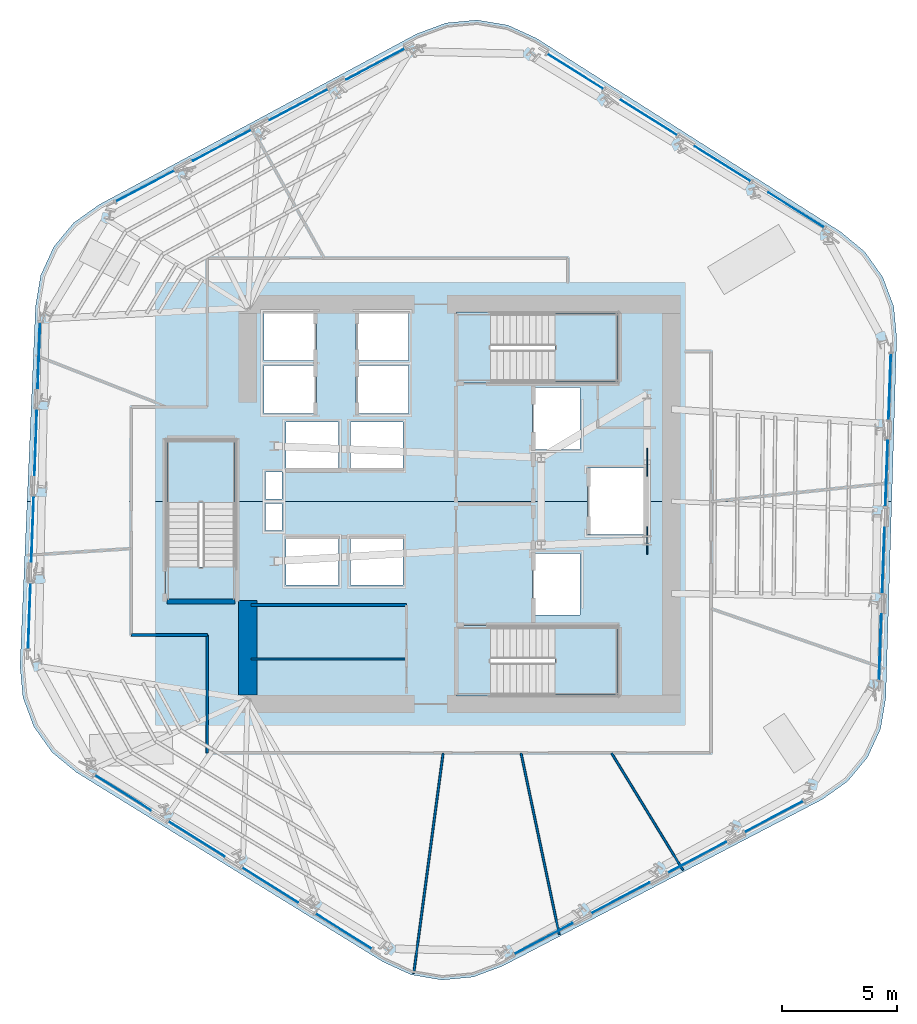
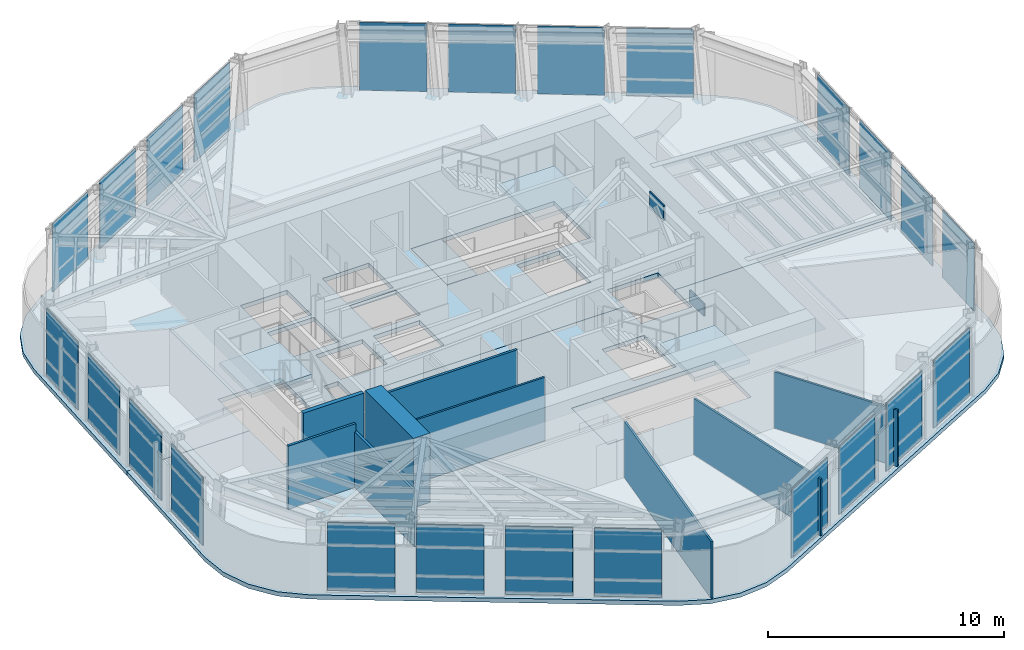
# One storey, part 6 of 14: 26 plates, 9 walls, 8 slabs, 9 elements without a shape of their own.
"""IFC4 building model written with IfcOpenShell, lengths in metres."""

from ifc_helpers import new_model, si_unit, direction, frame, frame_2d, origin, origin_2d, place, context, subcontext, project, spatial, polyline, rectangle, outline, extrude, material, layer, layer_set, type_object, element, aggregate, save


model = new_model("IFC4")

# Units and contexts
model_context = context("Model", 3, precision=1e-05, world=origin(), true_north=direction((0.0, 1.0)))
body_context = subcontext(model_context, "Body", "Model", "MODEL_VIEW")
ifc_project = project(units=[si_unit("LENGTHUNIT", "METRE"), si_unit("AREAUNIT", "SQUARE_METRE"), si_unit("VOLUMEUNIT", "CUBIC_METRE"), si_unit("PLANEANGLEUNIT", "RADIAN"), si_unit("MASSUNIT", "GRAM", prefix="KILO")], contexts=[model_context])

# Site, building, storey
site_placement = place(None, origin())
site = spatial("IfcSite", under=ifc_project, at=site_placement, CompositionType="ELEMENT")
building_placement = place(site_placement, origin())
building = spatial("IfcBuilding", under=site, at=building_placement, Name="Valkerne Bourse Tower", CompositionType="ELEMENT")
storey_placement = place(building_placement, frame((0.0, 0.0, 143.800048828125)))
storey = spatial("IfcBuildingStorey", under=building, at=storey_placement, Name="L36", CompositionType="ELEMENT", Elevation=143.800048828125)

# Curtain wall, plates
ifc_material_1 = material(Name="Aluminium AA 6063-T6", Category="aluminium")
ifc_layer_1 = layer(ifc_material_1, 0.235107421875)
ifc_layer_set_1 = layer_set([ifc_layer_1], Name="Aluminium AA 6063-T6")
curtain_wall_type = type_object("IfcCurtainWallType", Name="CW-03", PredefinedType="NOTDEFINED", material=ifc_layer_set_1)
curtain_wall_1_placement = place(storey_placement, origin())
curtain_wall_1 = element("IfcCurtainWall", 1, at=curtain_wall_1_placement, inside=storey, type_object=curtain_wall_type, Name="L36 Hexagonal Stick Curtain Wall Face 1", PredefinedType="NOTDEFINED")
ifc_material_2 = material(Name="Glass IGU Low-E Double Glazed", Category="glass")
ifc_layer_2 = layer(ifc_material_2, 0.031982421875)
ifc_layer_set_2 = layer_set([ifc_layer_2], Name="Glass IGU Low-E Double Glazed")
plate_type_1 = type_object("IfcPlateType", Name="CW-PNL-IGU-32", PredefinedType="CURTAIN_PANEL", material=ifc_layer_set_2)
plate_1_placement = place(storey_placement, frame((61.413818359375, 39.651611328125, 0.030029296875), z_axis=(0.0, 0.0, 1.0), x_axis=(-0.847122646261, 0.531397423961, 0.0)))
plate_1 = element("IfcPlate", 2, at=plate_1_placement, type_object=plate_type_1, Name="CW-L36-F1 Curtain Panel 00", PredefinedType="CURTAIN_PANEL", context=body_context, shape_type="SweptSolid", body=[
    extrude(rectangle(XDim=2.85107421875, YDim=0.031982421875, at=origin_2d()), origin(), (0.0, 0.0, 1.0), 3.52001953125),
])
plate_2_placement = place(storey_placement, frame((58.21923828125, 41.655517578125, 0.030029296875), z_axis=(0.0, 0.0, 1.0), x_axis=(-0.847122646261, 0.531397423961, 0.0)))
plate_2 = element("IfcPlate", 3, at=plate_2_placement, type_object=plate_type_1, Name="CW-L36-F1 Curtain Panel 01", PredefinedType="CURTAIN_PANEL", context=body_context, shape_type="SweptSolid", body=[
    extrude(rectangle(XDim=2.85107421875, YDim=0.031982421875, at=origin_2d()), origin(), (0.0, 0.0, 1.0), 3.52001953125),
])
plate_3_placement = place(storey_placement, frame((55.024658203125, 43.659423828125, 0.030029296875), z_axis=(0.0, 0.0, 1.0), x_axis=(-0.847122646261, 0.531397423961, 0.0)))
plate_3 = element("IfcPlate", 4, at=plate_3_placement, type_object=plate_type_1, Name="CW-L36-F1 Curtain Panel 02", PredefinedType="CURTAIN_PANEL", context=body_context, shape_type="SweptSolid", body=[
    extrude(rectangle(XDim=2.85107421875, YDim=0.031982421875, at=origin_2d()), origin(), (0.0, 0.0, 1.0), 3.52001953125),
])
plate_4_placement = place(storey_placement, frame((51.830078125, 45.663330078125, 0.030029296875), z_axis=(0.0, 0.0, 1.0), x_axis=(-0.847122646261, 0.531397423961, 0.0)))
plate_4 = element("IfcPlate", 5, at=plate_4_placement, type_object=plate_type_1, Name="CW-L36-F1 Curtain Panel 03", PredefinedType="CURTAIN_PANEL", context=body_context, shape_type="SweptSolid", body=[
    extrude(rectangle(XDim=2.85107421875, YDim=0.031982421875, at=origin_2d()), origin(), (0.0, 0.0, 1.0), 3.52001953125),
])
aggregate(curtain_wall_1, [plate_1, plate_2, plate_3, plate_4])

curtain_wall_2_placement = place(storey_placement, origin())
curtain_wall_2 = element("IfcCurtainWall", 6, at=curtain_wall_2_placement, inside=storey, type_object=curtain_wall_type, Name="L36 Hexagonal Stick Curtain Wall Face 2", PredefinedType="NOTDEFINED")
plate_5_placement = place(storey_placement, frame((43.150146484375, 45.981689453125, 0.030029296875), z_axis=(0.0, 0.0, 1.0), x_axis=(-0.883762758878, -0.467935236993, 0.0)))
plate_5 = element("IfcPlate", 7, at=plate_5_placement, type_object=plate_type_1, Name="CW-L36-F2 Curtain Panel 00", PredefinedType="CURTAIN_PANEL", context=body_context, shape_type="SweptSolid", body=[
    extrude(rectangle(XDim=2.85107421875, YDim=0.031982421875, at=origin_2d()), origin(), (0.0, 0.0, 1.0), 3.52001953125),
])
plate_6_placement = place(storey_placement, frame((39.8173828125, 44.21728515625, 0.030029296875), z_axis=(0.0, 0.0, 1.0), x_axis=(-0.883773725093, -0.467914525137, 0.0)))
plate_6 = element("IfcPlate", 8, at=plate_6_placement, type_object=plate_type_1, Name="CW-L36-F2 Curtain Panel 01", PredefinedType="CURTAIN_PANEL", context=body_context, shape_type="SweptSolid", body=[
    extrude(rectangle(XDim=2.85107421875, YDim=0.031982421875, at=origin_2d()), origin(), (0.0, 0.0, 1.0), 3.52001953125),
])
plate_7_placement = place(storey_placement, frame((36.48486328125, 42.45263671875, 0.030029296875), z_axis=(0.0, 0.0, 1.0), x_axis=(-0.883756952221, -0.467946203533, 0.0)))
plate_7 = element("IfcPlate", 9, at=plate_7_placement, type_object=plate_type_1, Name="CW-L36-F2 Curtain Panel 02", PredefinedType="CURTAIN_PANEL", context=body_context, shape_type="SweptSolid", body=[
    extrude(rectangle(XDim=2.850830078125, YDim=0.031982421875, at=origin_2d()), origin(), (0.0, 0.0, 1.0), 3.52001953125),
])
plate_8_placement = place(storey_placement, frame((33.152099609375, 40.68798828125, 0.030029296875), z_axis=(0.0, 0.0, 1.0), x_axis=(-0.883762758878, -0.467935236993, 0.0)))
plate_8 = element("IfcPlate", 10, at=plate_8_placement, type_object=plate_type_1, Name="CW-L36-F2 Curtain Panel 03", PredefinedType="CURTAIN_PANEL", context=body_context, shape_type="SweptSolid", body=[
    extrude(rectangle(XDim=2.85107421875, YDim=0.031982421875, at=origin_2d()), origin(), (0.0, 0.0, 1.0), 3.52001953125),
])
aggregate(curtain_wall_2, [plate_5, plate_6, plate_7, plate_8])

curtain_wall_3_placement = place(storey_placement, origin())
curtain_wall_3 = element("IfcCurtainWall", 11, at=curtain_wall_3_placement, inside=storey, type_object=curtain_wall_type, Name="L36 Hexagonal Stick Curtain Wall Face 3", PredefinedType="NOTDEFINED")
plate_9_placement = place(storey_placement, frame((28.536376953125, 33.330078125, 0.030029296875), z_axis=(0.0, 0.0, 1.0), x_axis=(-0.036647781173, -0.99932824444, 0.0)))
plate_9 = element("IfcPlate", 12, at=plate_9_placement, type_object=plate_type_1, Name="CW-L36-F3 Curtain Panel 00", PredefinedType="CURTAIN_PANEL", context=body_context, shape_type="SweptSolid", body=[
    extrude(rectangle(XDim=2.85107421875, YDim=0.031982421875, at=origin_2d()), origin(), (0.0, 0.0, 1.0), 3.52001953125),
])
plate_10_placement = place(storey_placement, frame((28.398193359375, 29.5615234375, 0.030029296875), z_axis=(0.0, 0.0, 1.0), x_axis=(-0.036621298825, -0.99932921526, 0.0)))
plate_10 = element("IfcPlate", 13, at=plate_10_placement, type_object=plate_type_1, Name="CW-L36-F3 Curtain Panel 01", PredefinedType="CURTAIN_PANEL", context=body_context, shape_type="SweptSolid", body=[
    extrude(rectangle(XDim=2.85107421875, YDim=0.031982421875, at=origin_2d()), origin(), (0.0, 0.0, 1.0), 3.52001953125),
])
plate_11_placement = place(storey_placement, frame((28.260009765625, 25.793212890625, 0.030029296875), z_axis=(0.0, 0.0, 1.0), x_axis=(-0.036648752372, -0.999328208823, 0.0)))
plate_11 = element("IfcPlate", 14, at=plate_11_placement, type_object=plate_type_1, Name="CW-L36-F3 Curtain Panel 02", PredefinedType="CURTAIN_PANEL", context=body_context, shape_type="SweptSolid", body=[
    extrude(rectangle(XDim=2.850830078125, YDim=0.031982421875, at=origin_2d()), origin(), (0.0, 0.0, 1.0), 3.52001953125),
])
plate_12_placement = place(storey_placement, frame((28.121826171875, 22.024658203125, 0.030029296875), z_axis=(0.0, 0.0, 1.0), x_axis=(-0.036647781173, -0.99932824444, 0.0)))
plate_12 = element("IfcPlate", 15, at=plate_12_placement, type_object=plate_type_1, Name="CW-L36-F3 Curtain Panel 03", PredefinedType="CURTAIN_PANEL", context=body_context, shape_type="SweptSolid", body=[
    extrude(rectangle(XDim=2.85107421875, YDim=0.031982421875, at=origin_2d()), origin(), (0.0, 0.0, 1.0), 3.52001953125),
])
aggregate(curtain_wall_3, [plate_9, plate_10, plate_11, plate_12])

curtain_wall_4_placement = place(storey_placement, origin())
curtain_wall_4 = element("IfcCurtainWall", 16, at=curtain_wall_4_placement, inside=storey, type_object=curtain_wall_type, Name="L36 Hexagonal Stick Curtain Wall Face 4", PredefinedType="NOTDEFINED")
plate_13_placement = place(storey_placement, frame((32.186279296875, 14.348388671875, 0.030029296875), z_axis=(0.0, 0.0, 1.0), x_axis=(0.847122646261, -0.531397423961, 0.0)))
plate_13 = element("IfcPlate", 17, at=plate_13_placement, type_object=plate_type_1, Name="CW-L36-F4 Curtain Panel 00", PredefinedType="CURTAIN_PANEL", context=body_context, shape_type="SweptSolid", body=[
    extrude(rectangle(XDim=2.85107421875, YDim=0.031982421875, at=origin_2d()), origin(), (0.0, 0.0, 1.0), 3.52001953125),
])
plate_14_placement = place(storey_placement, frame((35.380615234375, 12.344482421875, 0.030029296875), z_axis=(0.0, 0.0, 1.0), x_axis=(0.847122646261, -0.531397423961, 0.0)))
plate_14 = element("IfcPlate", 18, at=plate_14_placement, type_object=plate_type_1, Name="CW-L36-F4 Curtain Panel 01", PredefinedType="CURTAIN_PANEL", context=body_context, shape_type="SweptSolid", body=[
    extrude(rectangle(XDim=2.85107421875, YDim=0.031982421875, at=origin_2d()), origin(), (0.0, 0.0, 1.0), 3.52001953125),
])
plate_15_placement = place(storey_placement, frame((38.5751953125, 10.340576171875, 0.030029296875), z_axis=(0.0, 0.0, 1.0), x_axis=(0.847122646261, -0.531397423961, 0.0)))
plate_15 = element("IfcPlate", 19, at=plate_15_placement, type_object=plate_type_1, Name="CW-L36-F4 Curtain Panel 02", PredefinedType="CURTAIN_PANEL", context=body_context, shape_type="SweptSolid", body=[
    extrude(rectangle(XDim=2.85107421875, YDim=0.031982421875, at=origin_2d()), origin(), (0.0, 0.0, 1.0), 3.52001953125),
])
plate_16_placement = place(storey_placement, frame((41.769775390625, 8.336669921875, 0.030029296875), z_axis=(0.0, 0.0, 1.0), x_axis=(0.847122646261, -0.531397423961, 0.0)))
plate_16 = element("IfcPlate", 20, at=plate_16_placement, type_object=plate_type_1, Name="CW-L36-F4 Curtain Panel 03", PredefinedType="CURTAIN_PANEL", context=body_context, shape_type="SweptSolid", body=[
    extrude(rectangle(XDim=2.85107421875, YDim=0.031982421875, at=origin_2d()), origin(), (0.0, 0.0, 1.0), 3.52001953125),
])
aggregate(curtain_wall_4, [plate_13, plate_14, plate_15, plate_16])

curtain_wall_5_placement = place(storey_placement, origin())
curtain_wall_5 = element("IfcCurtainWall", 21, at=curtain_wall_5_placement, inside=storey, type_object=curtain_wall_type, Name="L36 Hexagonal Stick Curtain Wall Face 5", PredefinedType="NOTDEFINED")
plate_17_placement = place(storey_placement, frame((50.44970703125, 8.018310546875, 0.030029296875), z_axis=(0.0, 0.0, 1.0), x_axis=(0.883762758878, 0.467935236993, 0.0)))
plate_17 = element("IfcPlate", 22, at=plate_17_placement, type_object=plate_type_1, Name="CW-L36-F5 Curtain Panel 00", PredefinedType="CURTAIN_PANEL", context=body_context, shape_type="SweptSolid", body=[
    extrude(rectangle(XDim=2.85107421875, YDim=0.031982421875, at=origin_2d()), origin(), (0.0, 0.0, 1.0), 3.52001953125),
])
plate_18_placement = place(storey_placement, frame((53.78271484375, 9.78271484375, 0.030029296875), z_axis=(0.0, 0.0, 1.0), x_axis=(0.883773725093, 0.467914525137, 0.0)))
plate_18 = element("IfcPlate", 23, at=plate_18_placement, type_object=plate_type_1, Name="CW-L36-F5 Curtain Panel 01", PredefinedType="CURTAIN_PANEL", context=body_context, shape_type="SweptSolid", body=[
    extrude(rectangle(XDim=2.85107421875, YDim=0.031982421875, at=origin_2d()), origin(), (0.0, 0.0, 1.0), 3.52001953125),
])
plate_19_placement = place(storey_placement, frame((57.115234375, 11.547607421875, 0.030029296875), z_axis=(0.0, 0.0, 1.0), x_axis=(0.883756952221, 0.467946203533, 0.0)))
plate_19 = element("IfcPlate", 24, at=plate_19_placement, type_object=plate_type_1, Name="CW-L36-F5 Curtain Panel 02", PredefinedType="CURTAIN_PANEL", context=body_context, shape_type="SweptSolid", body=[
    extrude(rectangle(XDim=2.850830078125, YDim=0.031982421875, at=origin_2d()), origin(), (0.0, 0.0, 1.0), 3.52001953125),
])
plate_20_placement = place(storey_placement, frame((60.447998046875, 13.31201171875, 0.030029296875), z_axis=(0.0, 0.0, 1.0), x_axis=(0.883762758878, 0.467935236993, 0.0)))
plate_20 = element("IfcPlate", 25, at=plate_20_placement, type_object=plate_type_1, Name="CW-L36-F5 Curtain Panel 03", PredefinedType="CURTAIN_PANEL", context=body_context, shape_type="SweptSolid", body=[
    extrude(rectangle(XDim=2.85107421875, YDim=0.031982421875, at=origin_2d()), origin(), (0.0, 0.0, 1.0), 3.52001953125),
])
aggregate(curtain_wall_5, [plate_17, plate_18, plate_19, plate_20])

curtain_wall_6_placement = place(storey_placement, origin())
curtain_wall_6 = element("IfcCurtainWall", 26, at=curtain_wall_6_placement, inside=storey, type_object=curtain_wall_type, Name="L36 Hexagonal Stick Curtain Wall Face 6", PredefinedType="NOTDEFINED")
plate_21_placement = place(storey_placement, frame((65.063720703125, 20.669921875, 0.030029296875), z_axis=(0.0, 0.0, 1.0), x_axis=(0.036647781173, 0.99932824444, 0.0)))
plate_21 = element("IfcPlate", 27, at=plate_21_placement, type_object=plate_type_1, Name="CW-L36-F6 Curtain Panel 00", PredefinedType="CURTAIN_PANEL", context=body_context, shape_type="SweptSolid", body=[
    extrude(rectangle(XDim=2.85107421875, YDim=0.031982421875, at=origin_2d()), origin(), (0.0, 0.0, 1.0), 3.52001953125),
])
plate_22_placement = place(storey_placement, frame((65.201904296875, 24.4384765625, 0.030029296875), z_axis=(0.0, 0.0, 1.0), x_axis=(0.036621298825, 0.99932921526, 0.0)))
plate_22 = element("IfcPlate", 28, at=plate_22_placement, type_object=plate_type_1, Name="CW-L36-F6 Curtain Panel 01", PredefinedType="CURTAIN_PANEL", context=body_context, shape_type="SweptSolid", body=[
    extrude(rectangle(XDim=2.85107421875, YDim=0.031982421875, at=origin_2d()), origin(), (0.0, 0.0, 1.0), 3.52001953125),
])
plate_23_placement = place(storey_placement, frame((65.33984375, 28.206787109375, 0.030029296875), z_axis=(0.0, 0.0, 1.0), x_axis=(0.036648752372, 0.999328208823, 0.0)))
plate_23 = element("IfcPlate", 29, at=plate_23_placement, type_object=plate_type_1, Name="CW-L36-F6 Curtain Panel 02", PredefinedType="CURTAIN_PANEL", context=body_context, shape_type="SweptSolid", body=[
    extrude(rectangle(XDim=2.850830078125, YDim=0.031982421875, at=origin_2d()), origin(), (0.0, 0.0, 1.0), 3.52001953125),
])
plate_24_placement = place(storey_placement, frame((65.47802734375, 31.975341796875, 0.030029296875), z_axis=(0.0, 0.0, 1.0), x_axis=(0.036647781173, 0.99932824444, 0.0)))
plate_24 = element("IfcPlate", 30, at=plate_24_placement, type_object=plate_type_1, Name="CW-L36-F6 Curtain Panel 03", PredefinedType="CURTAIN_PANEL", context=body_context, shape_type="SweptSolid", body=[
    extrude(rectangle(XDim=2.85107421875, YDim=0.031982421875, at=origin_2d()), origin(), (0.0, 0.0, 1.0), 3.52001953125),
])
aggregate(curtain_wall_6, [plate_21, plate_22, plate_23, plate_24])

# Plates
ifc_material_3 = material(Name="Steel ASTM A572 Grade 50", Category="steel")
ifc_layer_3 = layer(ifc_material_3, 0.06005859375)
ifc_layer_set_3 = layer_set([ifc_layer_3], Name="Steel ASTM A572 Grade 50")
plate_type_2 = type_object("IfcPlateType", Name="PLT-GUS-60", PredefinedType="SHEET", material=ifc_layer_set_3)
for number, where, z_axis, x_axis, name in (
    (31, (54.949951171875, 25.300048828125, -0.18017578125), (0.0, 0.0, 1.0), (0.0, 1.0, 0.0), "L36 Brace Node Gusset Plate PLT-GUS-END-L36-388"),
    (32, (54.949951171875, 28.699951171875, 2.8740234375), (0.0, 0.0, 1.0), (0.0, 1.0, 0.0), "L36 Brace Node Gusset Plate PLT-GUS-END-L36-389"),
):
    element("IfcPlate", number, at=place(storey_placement, frame(where, z_axis=z_axis, x_axis=x_axis)), inside=storey, type_object=plate_type_2, Name=name, PredefinedType="SHEET", context=body_context, shape_type="SweptSolid", body=[
        extrude(rectangle(XDim=1.199951171875, YDim=0.06005859375, at=origin_2d()), origin(), (0.0, 0.0, 1.0), 0.800048828125),
    ])

# Slabs
ifc_material_4 = material(Name="Concrete C40/50", Category="concrete")
ifc_layer_4 = layer(ifc_material_4, 0.25)
ifc_layer_set_4 = layer_set([ifc_layer_4], Name="Concrete C40/50")
slab_type_1 = type_object("IfcSlabType", Name="SLB-RMP-LND-250", PredefinedType="LANDING", material=ifc_layer_set_4)
slab_1_placement = place(storey_placement, frame((0.0, 0.0, -0.219970703125)))
element("IfcSlab", 33, at=slab_1_placement, inside=storey, type_object=slab_type_1, Name="L36 ST-1 Floor Landing Slab", PredefinedType="LANDING", context=body_context, shape_type="SweptSolid", body=[
    extrude(outline(polyline([(46.669921875, 18.5400390625), (48.14990234375, 18.5400390625), (48.14990234375, 21.610107421875), (46.669921875, 21.610107421875), (46.669921875, 18.5400390625)])), origin(), (0.0, 0.0, 1.0), 0.219970703125),
])
slab_2_placement = place(storey_placement, frame((0.0, 0.0, -0.219970703125)))
element("IfcSlab", 34, at=slab_2_placement, inside=storey, type_object=slab_type_1, Name="L36 ST-2 Floor Landing Slab", PredefinedType="LANDING", context=body_context, shape_type="SweptSolid", body=[
    extrude(outline(polyline([(46.669921875, 32.139892578125), (48.14990234375, 32.139892578125), (48.14990234375, 35.2099609375), (46.669921875, 35.2099609375), (46.669921875, 32.139892578125)])), origin(), (0.0, 0.0, 1.0), 0.219970703125),
])
slab_3_placement = place(storey_placement, frame((0.0, 0.0, -0.219970703125)))
element("IfcSlab", 35, at=slab_3_placement, inside=storey, type_object=slab_type_1, Name="L36 ST-3 Floor Landing Slab", PredefinedType="LANDING", context=body_context, shape_type="SweptSolid", body=[
    extrude(outline(polyline([(37.110107421875, 22.669921875), (37.110107421875, 24.14990234375), (34.0400390625, 24.14990234375), (34.0400390625, 22.669921875), (37.110107421875, 22.669921875)])), origin(), (0.0, 0.0, 1.0), 0.219970703125),
])

# Stair, slab
stair_type = type_object("IfcStairType", Name="ST-CORE-1400", PredefinedType="HALF_TURN_STAIR", material=ifc_material_4)
stair_1_placement = place(storey_placement, origin())
stair_1 = element("IfcStair", 36, at=stair_1_placement, inside=storey, type_object=stair_type, Name="L36 ST-1", PredefinedType="HALF_TURN_STAIR")
ifc_layer_5 = layer(ifc_material_4, 0.179931640625)
ifc_layer_set_5 = layer_set([ifc_layer_5], Name="Concrete C40/50")
slab_type_2 = type_object("IfcSlabType", Name="SLB-ST-LND-180", PredefinedType="LANDING", material=ifc_layer_set_5)
slab_4_placement = place(storey_placement, frame((0.0, 0.0, 1.699951171875)))
slab_4 = element("IfcSlab", 37, at=slab_4_placement, type_object=slab_type_2, Name="ST-1 landing 1", PredefinedType="LANDING", context=body_context, shape_type="SweptSolid", body=[
    extrude(outline(polyline([(50.949951171875, 18.60009765625), (53.64990234375, 18.60009765625), (53.64990234375, 21.550048828125), (50.949951171875, 21.550048828125), (50.949951171875, 18.60009765625)])), origin(), (0.0, 0.0, 1.0), 0.199951171875),
])
aggregate(stair_1, [slab_4])

stair_2_placement = place(storey_placement, origin())
stair_2 = element("IfcStair", 38, at=stair_2_placement, inside=storey, type_object=stair_type, Name="L36 ST-2", PredefinedType="HALF_TURN_STAIR")
slab_5_placement = place(storey_placement, frame((0.0, 0.0, 1.699951171875)))
slab_5 = element("IfcSlab", 39, at=slab_5_placement, type_object=slab_type_2, Name="ST-2 landing 1", PredefinedType="LANDING", context=body_context, shape_type="SweptSolid", body=[
    extrude(outline(polyline([(50.949951171875, 32.199951171875), (53.64990234375, 32.199951171875), (53.64990234375, 35.14990234375), (50.949951171875, 35.14990234375), (50.949951171875, 32.199951171875)])), origin(), (0.0, 0.0, 1.0), 0.199951171875),
])
aggregate(stair_2, [slab_5])

stair_3_placement = place(storey_placement, origin())
stair_3 = element("IfcStair", 40, at=stair_3_placement, inside=storey, type_object=stair_type, Name="L36 ST-3", PredefinedType="HALF_TURN_STAIR")
slab_6_placement = place(storey_placement, frame((0.0, 0.0, 1.699951171875)))
slab_6 = element("IfcSlab", 41, at=slab_6_placement, type_object=slab_type_2, Name="ST-3 landing 1", PredefinedType="LANDING", context=body_context, shape_type="SweptSolid", body=[
    extrude(outline(polyline([(37.050048828125, 26.949951171875), (37.050048828125, 29.64990234375), (34.10009765625, 29.64990234375), (34.10009765625, 26.949951171875), (37.050048828125, 26.949951171875)])), origin(), (0.0, 0.0, 1.0), 0.199951171875),
])
aggregate(stair_3, [slab_6])

# Slabs
ifc_layer_6 = layer(ifc_material_4, 0.219970703125)
ifc_layer_set_6 = layer_set([ifc_layer_6], Name="Concrete C40/50")
slab_type_3 = type_object("IfcSlabType", Name="SLB-TOW-220", PredefinedType="FLOOR", material=ifc_layer_set_6)
slab_7_placement = place(storey_placement, frame((0.0, 0.0, -0.219970703125)))
element("IfcSlab", 42, at=slab_7_placement, inside=storey, type_object=slab_type_3, Name="L36 Hexagonal Composite Floor Slab S", PredefinedType="FLOOR", context=body_context, shape_type="SweptSolid", body=[
    extrude(outline(polyline([(65.080322265625, 17.12158203125), (64.51513671875, 15.88720703125), (63.64990234375, 14.84130859375), (62.54345703125, 14.054931640625), (48.661865234375, 6.8193359375), (47.389404296875, 6.34619140625), (46.0380859375, 6.218505859375), (44.699462890625, 6.44482421875), (43.465087890625, 7.010009765625), (30.15087890625, 15.24267578125), (29.104736328125, 16.10791015625), (28.318603515625, 17.214599609375), (27.84521484375, 18.48681640625), (27.717529296875, 19.83837890625), (28.026611328125, 27.0), (34.034912109375, 27.0), (34.034912109375, 22.6650390625), (37.114990234375, 22.6650390625), (37.114990234375, 27.0), (52.360107421875, 27.0), (52.360107421875, 25.56005859375), (54.840087890625, 25.56005859375), (54.840087890625, 27.0), (65.564697265625, 27.0), (65.306640625, 18.4599609375), (65.080322265625, 17.12158203125)]), holes=[polyline([(41.5400390625, 25.43994140625), (39.260009765625, 25.43994140625), (39.260009765625, 23.360107421875), (41.5400390625, 23.360107421875), (41.5400390625, 25.43994140625)]), polyline([(44.340087890625, 25.43994140625), (42.06005859375, 25.43994140625), (42.06005859375, 23.360107421875), (44.340087890625, 23.360107421875), (44.340087890625, 25.43994140625)]), polyline([(39.10009765625, 26.89990234375), (38.3798828125, 26.89990234375), (38.3798828125, 25.72998046875), (39.10009765625, 25.72998046875), (39.10009765625, 26.89990234375)]), polyline([(53.675048828125, 21.614990234375), (46.6650390625, 21.614990234375), (46.6650390625, 18.534912109375), (53.675048828125, 18.534912109375), (53.675048828125, 21.614990234375)]), polyline([(52.0400390625, 24.739990234375), (49.9599609375, 24.739990234375), (49.9599609375, 22.06005859375), (52.0400390625, 22.06005859375), (52.0400390625, 24.739990234375)])]), origin(), (0.0, 0.0, 1.0), 0.219970703125),
])
slab_8_placement = place(storey_placement, frame((0.0, 0.0, -0.219970703125)))
element("IfcSlab", 43, at=slab_8_placement, inside=storey, type_object=slab_type_3, Name="L36 Hexagonal Composite Floor Slab N", PredefinedType="FLOOR", context=body_context, shape_type="SweptSolid", body=[
    extrude(outline(polyline([(28.39208984375, 35.47802734375), (28.618408203125, 36.81640625), (29.18359375, 38.05078125), (30.048828125, 39.0966796875), (31.155517578125, 39.883056640625), (44.9423828125, 47.29736328125), (46.21484375, 47.7705078125), (47.56640625, 47.898193359375), (48.90478515625, 47.671875), (50.138916015625, 47.106689453125), (63.34619140625, 38.70263671875), (64.39208984375, 37.83740234375), (65.178466796875, 36.73095703125), (65.651611328125, 35.45849609375), (65.779296875, 34.107177734375), (65.564697265625, 27.0), (54.840087890625, 27.0), (54.840087890625, 28.43994140625), (52.360107421875, 28.43994140625), (52.360107421875, 27.0), (37.114990234375, 27.0), (37.114990234375, 29.675048828125), (34.034912109375, 29.675048828125), (34.034912109375, 27.0), (28.026611328125, 27.0), (28.39208984375, 35.47802734375)]), holes=[polyline([(39.10009765625, 28.27001953125), (38.3798828125, 28.27001953125), (38.3798828125, 27.10009765625), (39.10009765625, 27.10009765625), (39.10009765625, 28.27001953125)]), polyline([(41.5400390625, 30.43994140625), (39.260009765625, 30.43994140625), (39.260009765625, 28.360107421875), (41.5400390625, 28.360107421875), (41.5400390625, 30.43994140625)]), polyline([(40.590087890625, 32.889892578125), (38.31005859375, 32.889892578125), (38.31005859375, 30.81005859375), (40.590087890625, 30.81005859375), (40.590087890625, 32.889892578125)]), polyline([(40.590087890625, 35.18994140625), (38.31005859375, 35.18994140625), (38.31005859375, 33.110107421875), (40.590087890625, 33.110107421875), (40.590087890625, 35.18994140625)]), polyline([(44.340087890625, 30.43994140625), (42.06005859375, 30.43994140625), (42.06005859375, 28.360107421875), (44.340087890625, 28.360107421875), (44.340087890625, 30.43994140625)]), polyline([(52.0400390625, 31.93994140625), (49.9599609375, 31.93994140625), (49.9599609375, 29.260009765625), (52.0400390625, 29.260009765625), (52.0400390625, 31.93994140625)]), polyline([(44.590087890625, 32.889892578125), (42.31005859375, 32.889892578125), (42.31005859375, 30.81005859375), (44.590087890625, 30.81005859375), (44.590087890625, 32.889892578125)]), polyline([(53.675048828125, 35.215087890625), (46.6650390625, 35.215087890625), (46.6650390625, 32.135009765625), (53.675048828125, 32.135009765625), (53.675048828125, 35.215087890625)]), polyline([(44.590087890625, 35.18994140625), (42.31005859375, 35.18994140625), (42.31005859375, 33.110107421875), (44.590087890625, 33.110107421875), (44.590087890625, 35.18994140625)])]), origin(), (0.0, 0.0, 1.0), 0.219970703125),
])

# Walls
ifc_material_5 = material(Name="Concrete C55/67", Category="concrete")
ifc_layer_7 = layer(ifc_material_5, 0.800048828125)
ifc_layer_set_7 = layer_set([ifc_layer_7], Name="Concrete C55/67")
wall_type_1 = type_object("IfcWallType", Name="W-CORE-800", PredefinedType="SHEAR", material=ifc_layer_set_7)
wall_1_placement = place(storey_placement, frame((37.60009765625, 18.60009765625, 0.0), z_axis=(0.0, 0.0, 1.0), x_axis=(0.0, 1.0, 0.0)))
element("IfcWall", 44, at=wall_1_placement, inside=storey, type_object=wall_type_1, Name="L36 Core Shear Wall WEST-S", PredefinedType="SHEAR", context=body_context, shape_type="SweptSolid", body=[
    extrude(rectangle(XDim=4.099853515625, YDim=0.800048828125, at=frame_2d((2.0498046875, 0.0))), origin(), (0.0, 0.0, 1.0), 3.579833984375),
])
ifc_material_6 = material(Name="Gypsum Board Steel-Stud Partition", Category="steel")
ifc_layer_8 = layer(ifc_material_6, 0.117919921875)
ifc_layer_set_8 = layer_set([ifc_layer_8], Name="Gypsum Board Steel-Stud Partition")
wall_type_2 = type_object("IfcWallType", Name="W-CORR-140", PredefinedType="PARTITIONING", material=ifc_layer_set_8)
wall_2_placement = place(storey_placement, frame((37.75, 22.5, 0.0), z_axis=(0.0, 0.0, 1.0), x_axis=(1.0, 0.0, 0.0)))
element("IfcWall", 45, at=wall_2_placement, inside=storey, type_object=wall_type_2, Name="L36 LV7 Low-Bank North Wall", PredefinedType="PARTITIONING", context=body_context, shape_type="SweptSolid", body=[
    extrude(rectangle(XDim=6.75, YDim=0.117919921875, at=frame_2d((3.375, 0.0))), origin(), (0.0, 0.0, 1.0), 3.280029296875),
])
wall_3_placement = place(storey_placement, frame((35.85009765625, 16.080078125, 0.0), z_axis=(0.0, 0.0, 1.0), x_axis=(0.0, 1.0, 0.0)))
element("IfcWall", 46, at=wall_3_placement, inside=storey, type_object=wall_type_2, Name="L36 Corridor Enclosure Wall", PredefinedType="PARTITIONING", context=body_context, shape_type="SweptSolid", body=[
    extrude(rectangle(XDim=5.119873046875, YDim=0.117919921875, at=frame_2d((2.56005859375, 0.0))), origin(), (0.0, 0.0, 1.0), 2.87646484375),
])
wall_4_placement = place(storey_placement, frame((35.85009765625, 21.199951171875, 0.0), z_axis=(0.0, 0.0, 1.0), x_axis=(-1.0, 0.0, 0.0)))
element("IfcWall", 47, at=wall_4_placement, inside=storey, type_object=wall_type_2, Name="L36 Corridor Enclosure Wall", PredefinedType="PARTITIONING", context=body_context, shape_type="SweptSolid", body=[
    extrude(rectangle(XDim=3.300048828125, YDim=0.117919921875, at=frame_2d((1.64990234375, 0.0))), origin(), (0.0, 0.0, 1.0), 3.280029296875),
])
ifc_layer_9 = layer(ifc_material_6, 0.092041015625)
ifc_layer_set_9 = layer_set([ifc_layer_9], Name="Gypsum Board Steel-Stud Partition")
wall_type_3 = type_object("IfcWallType", Name="W-PART-115", PredefinedType="PARTITIONING", material=ifc_layer_set_9)
wall_5_placement = place(storey_placement, frame((37.75, 20.14990234375, 0.0), z_axis=(0.0, 0.0, 1.0), x_axis=(1.0, 0.0, 0.0)))
element("IfcWall", 48, at=wall_5_placement, inside=storey, type_object=wall_type_3, Name="L36 LV7 Low-Bank Sub-Divider", PredefinedType="PARTITIONING", context=body_context, shape_type="SweptSolid", body=[
    extrude(rectangle(XDim=6.75, YDim=0.092041015625, at=frame_2d((3.375, 0.0))), origin(), (0.0, 0.0, 1.0), 3.280029296875),
])
wall_6_placement = place(storey_placement, frame((46.089111328125, 16.074951171875, 0.0), z_axis=(0.0, 0.0, 1.0), x_axis=(-0.132264670907, -0.991214435342, 0.0)))
element("IfcWall", 49, at=wall_6_placement, inside=storey, type_object=wall_type_3, Name="L36 Suite Partition P01", PredefinedType="PARTITIONING", context=body_context, shape_type="SweptSolid", body=[
    extrude(rectangle(XDim=9.6630859375, YDim=0.092041015625, at=frame_2d((4.83154296875, 0.0))), origin(), (0.0, 0.0, 1.0), 2.92236328125),
])
wall_7_placement = place(storey_placement, frame((49.470458984375, 16.074951171875, 0.0), z_axis=(0.0, 0.0, 1.0), x_axis=(0.20619820087, -0.97851024622, 0.0)))
element("IfcWall", 50, at=wall_7_placement, inside=storey, type_object=wall_type_3, Name="L36 Suite Partition P02", PredefinedType="PARTITIONING", context=body_context, shape_type="SweptSolid", body=[
    extrude(rectangle(XDim=8.06201171875, YDim=0.092041015625, at=frame_2d((4.031005859375, 0.0))), origin(), (0.0, 0.0, 1.0), 2.92236328125),
])
wall_8_placement = place(storey_placement, frame((53.397216796875, 16.074951171875, 0.0), z_axis=(0.0, 0.0, 1.0), x_axis=(0.520996125886, -0.853559041199, 0.0)))
element("IfcWall", 51, at=wall_8_placement, inside=storey, type_object=wall_type_3, Name="L36 Suite Partition P03", PredefinedType="PARTITIONING", context=body_context, shape_type="SweptSolid", body=[
    extrude(rectangle(XDim=5.96240234375, YDim=0.092041015625, at=frame_2d((2.981201171875, 0.0))), origin(), (0.0, 0.0, 1.0), 2.92236328125),
])
ifc_layer_10 = layer(ifc_material_4, 0.199951171875)
ifc_layer_set_10 = layer_set([ifc_layer_10], Name="Concrete C40/50")
wall_type_4 = type_object("IfcWallType", Name="W-SHF-200", PredefinedType="SHEAR", material=ifc_layer_set_10)
wall_9_placement = place(storey_placement, frame((34.10009765625, 22.64990234375, 0.0), z_axis=(0.0, 0.0, 1.0), x_axis=(1.0, 0.0, 0.0)))
element("IfcWall", 52, at=wall_9_placement, inside=storey, type_object=wall_type_4, Name="L36 Exit Stair ST-3 Structural Shaft Wall South", PredefinedType="SHEAR", context=body_context, shape_type="SweptSolid", body=[
    extrude(rectangle(XDim=2.949951171875, YDim=0.199951171875, at=frame_2d((1.47509765625, 0.0))), origin(), (0.0, 0.0, 1.0), 3.579833984375),
])

save(model, "model.ifc")
